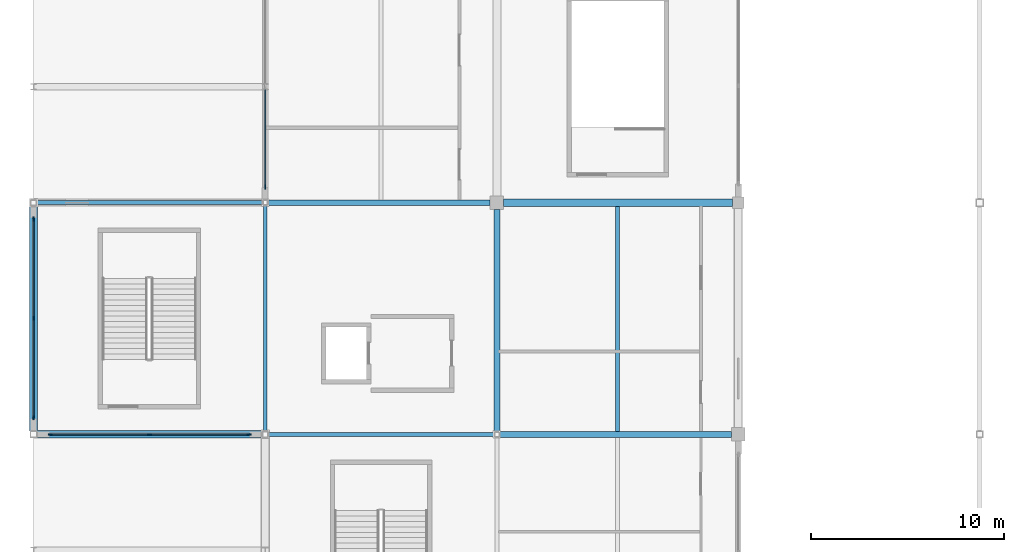
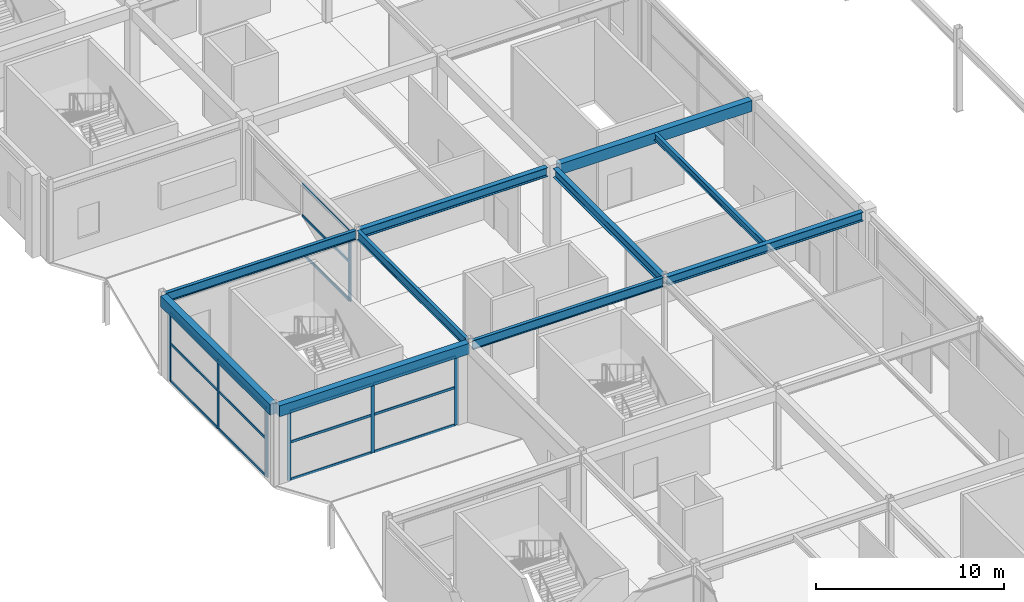
# One storey, part 38 of 105: 22 members, 10 beams, 3 elements without a shape of their own.
"""IFC4 building model written with IfcOpenShell, lengths in metres."""

import ifcopenshell
import ifcopenshell.guid

model = None  # the IFC model being written
_history = None  # IfcOwnerHistory: only IFC2X3 demands one
_inside = {}  # id of a spatial element -> (the spatial element, [elements in it])
_under = {}  # id of a project, library or spatial element -> (it, [spatial elements below it])
_declared = {}  # id of a project -> (the project, [libraries it declares])
_typed = {}  # id of a type object -> (the type object, [elements of that type])
_made_of = {}  # id of a material, layer set ... -> (it, [elements and type objects made of it])


def new_model(schema):
    """Start an empty IFC model of exactly this schema.

    Asked for "IFC4X3", IfcOpenShell would pick the latest addendum, in which some entities
    have other attributes; the version numbers below select the first issue.
    IFC2X3 requires an IfcOwnerHistory on every rooted entity: one is made here for all.
    """
    global model, _history
    if schema == "IFC4X3":
        model = ifcopenshell.file(schema_version=(4, 3, 0, 0))
    else:
        model = ifcopenshell.file(schema=schema)
    _inside.clear()
    _under.clear()
    _declared.clear()
    _typed.clear()
    _made_of.clear()
    _history = None
    if model.schema == "IFC2X3":
        org = make("IfcOrganization", Name="unknown")
        user = make(
            "IfcPersonAndOrganization",
            ThePerson=make("IfcPerson", FamilyName="unknown"),
            TheOrganization=org,
        )
        app = make(
            "IfcApplication",
            ApplicationDeveloper=org,
            Version="unknown",
            ApplicationFullName="unknown",
            ApplicationIdentifier="unknown",
        )
        _history = make(
            "IfcOwnerHistory",
            OwningUser=user,
            OwningApplication=app,
            ChangeAction="ADDED",
            CreationDate=0,
        )
    return model


def make(cls, **values):
    """One entity of the class cls with the attributes given. An attribute that is None is left unset."""
    return model.create_entity(
        cls, **{name: value for name, value in values.items() if value is not None}
    )


def rooted(cls, **values):
    """An entity with a GlobalId (a new one), such as an element, a storey or a relation."""
    return make(cls, GlobalId=ifcopenshell.guid.new(), OwnerHistory=_history, **values)


def si_unit(unit_type, name, prefix=None):
    """IfcSIUnit, for example si_unit("LENGTHUNIT", "METRE", prefix="MILLI")."""
    return make("IfcSIUnit", UnitType=unit_type, Prefix=prefix, Name=name)


def assignment(units):
    """IfcUnitAssignment: the units of a project."""
    return None if units is None else make("IfcUnitAssignment", Units=units)


def point(xyz):
    """IfcCartesianPoint."""
    return None if xyz is None else make("IfcCartesianPoint", Coordinates=xyz)


def direction(xyz):
    """IfcDirection."""
    return None if xyz is None else make("IfcDirection", DirectionRatios=xyz)


def frame(location, z_axis=None, x_axis=None):
    """IfcAxis2Placement3D, a coordinate frame: its origin and axes. An axis left out is left unset."""
    return make(
        "IfcAxis2Placement3D",
        Location=point(location),
        Axis=direction(z_axis),
        RefDirection=direction(x_axis),
    )


def frame_2d(location, x_axis=None):
    """IfcAxis2Placement2D, a coordinate frame in the plane: its origin and x axis."""
    return make(
        "IfcAxis2Placement2D", Location=point(location), RefDirection=direction(x_axis)
    )


def origin():
    """The frame at (0, 0, 0) with its axes left unset."""
    return frame((0.0, 0.0, 0.0))


def origin_2d():
    """The frame at (0, 0) in the plane with its x axis left unset."""
    return frame_2d((0.0, 0.0))


def place(relative_to, where):
    """IfcLocalPlacement: puts the frame where relative to a parent placement (None: the world)."""
    return make(
        "IfcLocalPlacement", PlacementRelTo=relative_to, RelativePlacement=where
    )


def context(
    kind, dimensions, precision=None, world=None, true_north=None, identifier=None
):
    """IfcGeometricRepresentationContext, for example the 3D "Model" context."""
    return make(
        "IfcGeometricRepresentationContext",
        ContextIdentifier=identifier,
        ContextType=kind,
        CoordinateSpaceDimension=dimensions,
        Precision=precision,
        WorldCoordinateSystem=world,
        TrueNorth=true_north,
    )


def subcontext(parent, identifier, kind, view, scale=None):
    """IfcGeometricRepresentationSubContext, for example "Body" below "Model"."""
    return make(
        "IfcGeometricRepresentationSubContext",
        ContextIdentifier=identifier,
        ContextType=kind,
        ParentContext=parent,
        TargetScale=scale,
        TargetView=view,
    )


def project(units=None, contexts=None):
    """IfcProject with its units and contexts."""
    return rooted(
        "IfcProject",
        Name="project",
        RepresentationContexts=contexts,
        UnitsInContext=assignment(units),
    )


def spatial(cls, under=None, at=None, **own):
    """A site, building, storey or space (cls), placed at a placement, below another one or the project."""
    s = rooted(cls, ObjectPlacement=at, **own)
    if under is not None:
        _under.setdefault(under.id(), (under, []))[1].append(s)
    return s


def profile(cls, at=None, kind="AREA", **sizes):
    """A parametric profile (cls). Its sizes go by their IFC names, for example OverallWidth=200.0."""
    return make(cls, ProfileType=kind, Position=at, **sizes)


def rectangle(**sizes):
    """IfcRectangleProfileDef."""
    return profile("IfcRectangleProfileDef", **sizes)


def i_section(**sizes):
    """IfcIShapeProfileDef."""
    return profile("IfcIShapeProfileDef", **sizes)


def extrude(swept, where, along, depth):
    """IfcExtrudedAreaSolid: the profile swept, set in the frame where, extruded along a direction by depth."""
    return make(
        "IfcExtrudedAreaSolid",
        SweptArea=swept,
        Position=where,
        ExtrudedDirection=direction(along),
        Depth=depth,
    )


def shape(context_of_items, identifier, shape_type, items):
    """IfcShapeRepresentation: the items that make up one representation, for example the "Body"."""
    return make(
        "IfcShapeRepresentation",
        ContextOfItems=context_of_items,
        RepresentationIdentifier=identifier,
        RepresentationType=shape_type,
        Items=items,
    )


def material(Name=None, Category=None):
    """IfcMaterial."""
    return make("IfcMaterial", Name=Name, Category=Category)


def layer(
    of_material, thickness, ventilated=None, Name=None, Category=None, Priority=None
):
    """IfcMaterialLayer: one layer of a wall or slab, of a material (None: an air gap)."""
    return make(
        "IfcMaterialLayer",
        Material=of_material,
        LayerThickness=thickness,
        IsVentilated=ventilated,
        Name=Name,
        Category=Category,
        Priority=Priority,
    )


def layer_set(layers, Name=None):
    """IfcMaterialLayerSet."""
    return make("IfcMaterialLayerSet", MaterialLayers=layers, LayerSetName=Name)


def material_profile(
    of_material, cross_section, Name=None, Category=None, Priority=None
):
    """IfcMaterialProfile: a cross section and its material."""
    return make(
        "IfcMaterialProfile",
        Name=Name,
        Material=of_material,
        Profile=cross_section,
        Priority=Priority,
        Category=Category,
    )


def profile_set(profiles, Name=None, composite=None):
    """IfcMaterialProfileSet."""
    return make(
        "IfcMaterialProfileSet",
        Name=Name,
        MaterialProfiles=profiles,
        CompositeProfile=composite,
    )


def made_of(thing, what):
    """Note that an element or type object is made of a material, layer set ...; save() writes the relation."""
    if what is not None:
        _made_of.setdefault(what.id(), (what, []))[1].append(thing)
    return thing


def type_object(cls, material=None, **own):
    """A type object (cls), such as IfcWallType, which elements share."""
    return made_of(rooted(cls, **own), material)


def element(
    cls,
    number,
    at=None,
    inside=None,
    cuts=None,
    type_object=None,
    material=None,
    context=None,
    identifier="Body",
    shape_type=None,
    held_by="IfcProductDefinitionShape",
    body=None,
    shapes=None,
    **own,
):
    """One element of the class cls, such as IfcWall. Its Tag is "e" and its number.

    at: its placement. inside: the storey or other place that contains it. cuts: it is an
    opening in that element (IfcRelVoidsElement). A single representation is given by context,
    identifier, shape_type and body (its items); several are given by shapes. held_by: the class
    of the entity that holds the representations. save() writes the other relations.
    """
    e = rooted(cls, Tag="e%d" % number, ObjectPlacement=at, **own)
    if body is not None:
        shapes = [shape(context, identifier, shape_type, body)]
    if shapes is not None:
        e.Representation = make(held_by, Representations=shapes)
    if inside is not None:
        _inside.setdefault(inside.id(), (inside, []))[1].append(e)
    if cuts is not None:
        rooted(
            "IfcRelVoidsElement", RelatingBuildingElement=cuts, RelatedOpeningElement=e
        )
    if type_object is not None:
        _typed.setdefault(type_object.id(), (type_object, []))[1].append(e)
    return made_of(e, material)


def aggregate(whole, parts):
    """IfcRelAggregates: a whole, such as a stair, and the parts it consists of."""
    return rooted("IfcRelAggregates", RelatingObject=whole, RelatedObjects=parts)


def save(model, path):
    """Write the relations noted so far, then the file.

    IfcRelAggregates (storeys below a building ...), IfcRelContainedInSpatialStructure (elements
    in a storey), IfcRelDefinesByType, IfcRelAssociatesMaterial and IfcRelDeclares: one each for
    every whole, place, type object, material and project.
    """
    for whole, parts in _under.values():
        aggregate(whole, parts)
    for where, things in _inside.values():
        rooted(
            "IfcRelContainedInSpatialStructure",
            RelatedElements=things,
            RelatingStructure=where,
        )
    for kind, things in _typed.values():
        rooted("IfcRelDefinesByType", RelatedObjects=things, RelatingType=kind)
    for what, things in _made_of.values():
        rooted("IfcRelAssociatesMaterial", RelatedObjects=things, RelatingMaterial=what)
    for by, libraries in _declared.values():
        rooted("IfcRelDeclares", RelatingContext=by, RelatedDefinitions=libraries)
    model.write(path)


model = new_model("IFC4")

# Units and contexts
model_context = context("Model", 3, precision=1e-05, world=origin(), true_north=direction((0.0, 1.0)))
body_context = subcontext(model_context, "Body", "Model", "MODEL_VIEW")
ifc_project = project(units=[si_unit("LENGTHUNIT", "METRE"), si_unit("AREAUNIT", "SQUARE_METRE"), si_unit("VOLUMEUNIT", "CUBIC_METRE"), si_unit("PLANEANGLEUNIT", "RADIAN"), si_unit("MASSUNIT", "GRAM", prefix="KILO")], contexts=[model_context])

# Site, building, storey
site_placement = place(None, origin())
site = spatial("IfcSite", under=ifc_project, at=site_placement, CompositionType="ELEMENT")
building_placement = place(site_placement, origin())
building = spatial("IfcBuilding", under=site, at=building_placement, Name="Kazenohara Klinker Stadium", CompositionType="ELEMENT")
storey_placement = place(building_placement, frame((0.0, 0.0, 20.39990234375)))
storey = spatial("IfcBuildingStorey", under=building, at=storey_placement, Name="L04", CompositionType="ELEMENT", Elevation=20.39990234375)

# Beams
ifc_material_1 = material(Name="Steel S355", Category="steel")
ifc_material_profile_1 = material_profile(ifc_material_1, i_section(OverallWidth=0.199951171875, OverallDepth=0.449951171875, WebThickness=0.009033203125, FlangeThickness=0.013916015625, FilletRadius=0.012939453125, at=origin_2d()), Name="H-450x200x9x14")
ifc_profile_set_1 = profile_set([ifc_material_profile_1], Name="Steel S355")
beam_type_1 = type_object("IfcBeamType", Name="BM-JST02", PredefinedType="JOIST", material=ifc_profile_set_1)
beam_1_placement = place(storey_placement, frame((30.25, 108.14990234375, 4.955078125), z_axis=(0.0, 1.0, 0.0), x_axis=(-1.0, 0.0, 0.0)))
element("IfcBeam", 1, at=beam_1_placement, inside=storey, type_object=beam_type_1, Name="Secondary floor joist SJ02 L04 3/K", PredefinedType="JOIST", context=body_context, shape_type="SweptSolid", body=[
    extrude(i_section(OverallWidth=0.199951171875, OverallDepth=0.449951171875, WebThickness=0.009033203125, FlangeThickness=0.013916015625, FilletRadius=0.012939453125, at=origin_2d()), origin(), (0.0, 0.0, 1.0), 11.650146484375),
])
ifc_material_2 = material(Name="Concrete C40/50", Category="concrete")
ifc_material_profile_2 = material_profile(ifc_material_2, rectangle(XDim=0.39990234375, YDim=0.699951171875, at=origin_2d()), Name="RC-BM-400x700")
ifc_profile_set_2 = profile_set([ifc_material_profile_2], Name="Concrete C40/50")
beam_type_2 = type_object("IfcBeamType", Name="BM-RC04", PredefinedType="BEAM", material=ifc_profile_set_2)
beam_2_placement = place(storey_placement, frame((0.175048828125, 108.0, 4.830078125), z_axis=(1.0, 0.0, 0.0), x_axis=(0.0, 1.0, 0.0)))
element("IfcBeam", 2, at=beam_2_placement, inside=storey, type_object=beam_type_2, Name="Primary girder BG04 L04 1-2/K", PredefinedType="BEAM", context=body_context, shape_type="SweptSolid", body=[
    extrude(rectangle(XDim=0.39990234375, YDim=0.699951171875, at=origin_2d()), origin(), (0.0, 0.0, 1.0), 11.675048828125),
])
beam_3_placement = place(storey_placement, frame((24.35009765625, 120.0, 4.830078125), z_axis=(1.0, 0.0, 0.0), x_axis=(0.0, 1.0, 0.0)))
element("IfcBeam", 3, at=beam_3_placement, inside=storey, type_object=beam_type_2, Name="Primary girder BG04 L04 3-4/L", PredefinedType="BEAM", context=body_context, shape_type="SweptSolid", body=[
    extrude(rectangle(XDim=0.39990234375, YDim=0.699951171875, at=origin_2d()), origin(), (0.0, 0.0, 1.0), 11.849853515625),
])
beam_4_placement = place(storey_placement, frame((0.0, 108.175048828125, 4.830078125), z_axis=(0.0, 1.0, 0.0), x_axis=(-1.0, 0.0, 0.0)))
element("IfcBeam", 4, at=beam_4_placement, inside=storey, type_object=beam_type_2, Name="Primary girder BG04 L04 1/K-L", PredefinedType="BEAM", context=body_context, shape_type="SweptSolid", body=[
    extrude(rectangle(XDim=0.39990234375, YDim=0.699951171875, at=origin_2d()), origin(), (0.0, 0.0, 1.0), 11.675048828125),
])
ifc_material_profile_3 = material_profile(ifc_material_1, i_section(OverallWidth=0.199951171875, OverallDepth=0.60009765625, WebThickness=0.010986328125, FlangeThickness=0.01708984375, FilletRadius=0.012939453125, at=origin_2d()), Name="H-600x200x11x17")
ifc_profile_set_3 = profile_set([ifc_material_profile_3], Name="Steel S355")
beam_type_3 = type_object("IfcBeamType", Name="BM-ST04", PredefinedType="BEAM", material=ifc_profile_set_3)
for number, where, z_axis, x_axis, name in (
    (5, (0.14990234375, 120.0, 4.880126953125), (1.0, 0.0, 0.0), (0.0, 1.0, 0.0), "Primary girder SB04 L04 1-2/L"),
    (6, (12.14990234375, 108.0, 4.880126953125), (1.0, 0.0, 0.0), (0.0, 1.0, 0.0), "Primary girder SB04 L04 2-3/K"),
    (7, (12.0, 108.14990234375, 4.880126953125), (0.0, 1.0, 0.0), (-1.0, 0.0, 0.0), "Primary girder SB04 L04 2/K-L"),
):
    element("IfcBeam", number, at=place(storey_placement, frame(where, z_axis=z_axis, x_axis=x_axis)), inside=storey, type_object=beam_type_3, Name=name, PredefinedType="BEAM", context=body_context, shape_type="SweptSolid", body=[
        extrude(i_section(OverallWidth=0.199951171875, OverallDepth=0.60009765625, WebThickness=0.010986328125, FlangeThickness=0.01708984375, FilletRadius=0.012939453125, at=origin_2d()), origin(), (0.0, 0.0, 1.0), 11.72509765625),
    ])
ifc_material_profile_4 = material_profile(ifc_material_1, i_section(OverallWidth=0.300048828125, OverallDepth=0.587890625, WebThickness=0.011962890625, FlangeThickness=0.02001953125, FilletRadius=0.02197265625, at=origin_2d()), Name="H-588x300x12x20")
ifc_profile_set_4 = profile_set([ifc_material_profile_4], Name="Steel S355")
beam_type_4 = type_object("IfcBeamType", Name="BM-ST05", PredefinedType="BEAM", material=ifc_profile_set_4)
beam_5_placement = place(storey_placement, frame((12.125, 120.0, 4.885986328125), z_axis=(1.0, 0.0, 0.0), x_axis=(0.0, 1.0, 0.0)))
element("IfcBeam", 8, at=beam_5_placement, inside=storey, type_object=beam_type_4, Name="Primary girder SB05 L04 2-3/L", PredefinedType="BEAM", context=body_context, shape_type="SweptSolid", body=[
    extrude(i_section(OverallWidth=0.300048828125, OverallDepth=0.587890625, WebThickness=0.011962890625, FlangeThickness=0.02001953125, FilletRadius=0.02197265625, at=origin_2d()), origin(), (0.0, 0.0, 1.0), 11.52490234375),
])
beam_6_placement = place(storey_placement, frame((24.125, 108.0, 4.885986328125), z_axis=(1.0, 0.0, 0.0), x_axis=(0.0, 1.0, 0.0)))
element("IfcBeam", 9, at=beam_6_placement, inside=storey, type_object=beam_type_4, Name="Primary girder SB05 L04 3-4/K", PredefinedType="BEAM", context=body_context, shape_type="SweptSolid", body=[
    extrude(i_section(OverallWidth=0.300048828125, OverallDepth=0.587890625, WebThickness=0.011962890625, FlangeThickness=0.02001953125, FilletRadius=0.02197265625, at=origin_2d()), origin(), (0.0, 0.0, 1.0), 12.02490234375),
])
beam_7_placement = place(storey_placement, frame((24.0, 108.125, 4.885986328125), z_axis=(0.0, 1.0, 0.0), x_axis=(-1.0, 0.0, 0.0)))
element("IfcBeam", 10, at=beam_7_placement, inside=storey, type_object=beam_type_4, Name="Primary girder SB05 L04 3/K-L", PredefinedType="BEAM", context=body_context, shape_type="SweptSolid", body=[
    extrude(i_section(OverallWidth=0.300048828125, OverallDepth=0.587890625, WebThickness=0.011962890625, FlangeThickness=0.02001953125, FilletRadius=0.02197265625, at=origin_2d()), origin(), (0.0, 0.0, 1.0), 11.52490234375),
])

# Curtain wall, members
ifc_material_3 = material(Name="Anodised aluminium and triple glazing", Category="aluminium")
ifc_layer_1 = layer(ifc_material_3, 0.18994140625)
ifc_layer_set_1 = layer_set([ifc_layer_1], Name="Anodised aluminium and triple glazing")
curtain_wall_type_1 = type_object("IfcCurtainWallType", Name="CW-SYS-05", PredefinedType="USERDEFINED", material=ifc_layer_set_1)
curtain_wall_1_placement = place(storey_placement, origin())
curtain_wall_1 = element("IfcCurtainWall", 11, at=curtain_wall_1_placement, inside=storey, type_object=curtain_wall_type_1, Name="Unitised facade curtain wall CW05 L04 X0-9", ObjectType="UNITISED CURTAIN WALL", PredefinedType="USERDEFINED")
ifc_material_4 = material(Name="Anodised aluminium 6063-T6", Category="aluminium")
ifc_material_profile_5 = material_profile(ifc_material_4, rectangle(XDim=0.074951171875, YDim=0.219970703125, at=origin_2d()), Name="ALU-MUL-75x220")
ifc_profile_set_5 = profile_set([ifc_material_profile_5], Name="Anodised aluminium 6063-T6")
member_type_1 = type_object("IfcMemberType", Name="CW-MUL-220", PredefinedType="MULLION", material=ifc_profile_set_5)
member_1_placement = place(storey_placement, frame((0.866455078125, 108.0, 0.0), z_axis=(0.0, 0.0, 1.0), x_axis=(0.0, 1.0, 0.0)))
member_1 = element("IfcMember", 12, at=member_1_placement, type_object=member_type_1, Name="CW05 mullion 1", PredefinedType="MULLION", context=body_context, shape_type="SweptSolid", body=[
    extrude(rectangle(XDim=0.074951171875, YDim=0.219970703125, at=origin_2d()), origin(), (0.0, 0.0, 1.0), 4.47998046875),
])
member_2_placement = place(storey_placement, frame((6.012451171875, 108.0, 0.0), z_axis=(0.0, 0.0, 1.0), x_axis=(0.0, 1.0, 0.0)))
member_2 = element("IfcMember", 13, at=member_2_placement, type_object=member_type_1, Name="CW05 mullion 2", PredefinedType="MULLION", context=body_context, shape_type="SweptSolid", body=[
    extrude(rectangle(XDim=0.074951171875, YDim=0.219970703125, at=origin_2d()), origin(), (0.0, 0.0, 1.0), 4.47998046875),
])
member_3_placement = place(storey_placement, frame((11.158447265625, 108.0, 0.0), z_axis=(0.0, 0.0, 1.0), x_axis=(0.0, 1.0, 0.0)))
member_3 = element("IfcMember", 14, at=member_3_placement, type_object=member_type_1, Name="CW05 mullion 3", PredefinedType="MULLION", context=body_context, shape_type="SweptSolid", body=[
    extrude(rectangle(XDim=0.074951171875, YDim=0.219970703125, at=origin_2d()), origin(), (0.0, 0.0, 1.0), 4.47998046875),
])

ifc_layer_2 = layer(ifc_material_3, 0.159912109375)
ifc_layer_set_2 = layer_set([ifc_layer_2], Name="Anodised aluminium and triple glazing")
curtain_wall_type_2 = type_object("IfcCurtainWallType", Name="CW-SYS-01", PredefinedType="USERDEFINED", material=ifc_layer_set_2)
curtain_wall_2_placement = place(storey_placement, origin())
curtain_wall_2 = element("IfcCurtainWall", 15, at=curtain_wall_2_placement, inside=storey, type_object=curtain_wall_type_2, Name="Unitised facade curtain wall CW01 L04 Y0-9", ObjectType="UNITISED CURTAIN WALL", PredefinedType="USERDEFINED")
member_4_placement = place(storey_placement, frame((0.0, 108.866455078125, 0.0), z_axis=(0.0, 0.0, 1.0), x_axis=(-1.0, 0.0, 0.0)))
member_4 = element("IfcMember", 16, at=member_4_placement, type_object=member_type_1, Name="CW01 mullion 1", PredefinedType="MULLION", context=body_context, shape_type="SweptSolid", body=[
    extrude(rectangle(XDim=0.074951171875, YDim=0.219970703125, at=origin_2d()), origin(), (0.0, 0.0, 1.0), 4.47998046875),
])
member_5_placement = place(storey_placement, frame((0.0, 114.012451171875, 0.0), z_axis=(0.0, 0.0, 1.0), x_axis=(-1.0, 0.0, 0.0)))
member_5 = element("IfcMember", 17, at=member_5_placement, type_object=member_type_1, Name="CW01 mullion 2", PredefinedType="MULLION", context=body_context, shape_type="SweptSolid", body=[
    extrude(rectangle(XDim=0.074951171875, YDim=0.219970703125, at=origin_2d()), origin(), (0.0, 0.0, 1.0), 4.47998046875),
])
member_6_placement = place(storey_placement, frame((0.0, 119.158447265625, 0.0), z_axis=(0.0, 0.0, 1.0), x_axis=(-1.0, 0.0, 0.0)))
member_6 = element("IfcMember", 18, at=member_6_placement, type_object=member_type_1, Name="CW01 mullion 3", PredefinedType="MULLION", context=body_context, shape_type="SweptSolid", body=[
    extrude(rectangle(XDim=0.074951171875, YDim=0.219970703125, at=origin_2d()), origin(), (0.0, 0.0, 1.0), 4.47998046875),
])

# Curtain wall, member
curtain_wall_3_placement = place(storey_placement, origin())
curtain_wall_3 = element("IfcCurtainWall", 19, at=curtain_wall_3_placement, inside=storey, type_object=curtain_wall_type_1, Name="Unitised facade curtain wall CW05 L04 Y1-10", ObjectType="UNITISED CURTAIN WALL", PredefinedType="USERDEFINED")
member_7_placement = place(storey_placement, frame((12.0, 120.81640625, 0.0), z_axis=(0.0, 0.0, 1.0), x_axis=(-1.0, 0.0, 0.0)))
member_7 = element("IfcMember", 20, at=member_7_placement, type_object=member_type_1, Name="CW05 mullion 1", PredefinedType="MULLION", context=body_context, shape_type="SweptSolid", body=[
    extrude(rectangle(XDim=0.074951171875, YDim=0.219970703125, at=origin_2d()), origin(), (0.0, 0.0, 1.0), 4.592041015625),
])

# Member
ifc_material_profile_6 = material_profile(ifc_material_4, rectangle(XDim=0.074951171875, YDim=0.159912109375, at=origin_2d()), Name="ALU-TRN-75x160")
ifc_profile_set_6 = profile_set([ifc_material_profile_6], Name="Anodised aluminium 6063-T6")
member_type_2 = type_object("IfcMemberType", Name="CW-TRN-160", PredefinedType="USERDEFINED", material=ifc_profile_set_6)
member_8_placement = place(storey_placement, frame((0.904052734375, 108.0, 0.03759765625), z_axis=(1.0, 0.0, 0.0), x_axis=(0.0, 1.0, 0.0)))
member_8 = element("IfcMember", 21, at=member_8_placement, type_object=member_type_2, Name="CW05 transom 1.1", ObjectType="TRANSOM", PredefinedType="USERDEFINED", context=body_context, shape_type="SweptSolid", body=[
    extrude(rectangle(XDim=0.074951171875, YDim=0.159912109375, at=origin_2d()), origin(), (0.0, 0.0, 1.0), 5.071044921875),
])

member_9_placement = place(storey_placement, frame((0.904052734375, 108.0, 2.464111328125), z_axis=(1.0, 0.0, 0.0), x_axis=(0.0, 1.0, 0.0)))
member_9 = element("IfcMember", 22, at=member_9_placement, type_object=member_type_2, Name="CW05 transom 1.2", ObjectType="TRANSOM", PredefinedType="USERDEFINED", context=body_context, shape_type="SweptSolid", body=[
    extrude(rectangle(XDim=0.074951171875, YDim=0.159912109375, at=origin_2d()), origin(), (0.0, 0.0, 1.0), 5.071044921875),
])

member_10_placement = place(storey_placement, frame((0.904052734375, 108.0, 4.442626953125), z_axis=(1.0, 0.0, 0.0), x_axis=(0.0, 1.0, 0.0)))
member_10 = element("IfcMember", 23, at=member_10_placement, type_object=member_type_2, Name="CW05 transom 1.3", ObjectType="TRANSOM", PredefinedType="USERDEFINED", context=body_context, shape_type="SweptSolid", body=[
    extrude(rectangle(XDim=0.074951171875, YDim=0.159912109375, at=origin_2d()), origin(), (0.0, 0.0, 1.0), 5.071044921875),
])

member_11_placement = place(storey_placement, frame((6.050048828125, 108.0, 0.03759765625), z_axis=(1.0, 0.0, 0.0), x_axis=(0.0, 1.0, 0.0)))
member_11 = element("IfcMember", 24, at=member_11_placement, type_object=member_type_2, Name="CW05 transom 2.1", ObjectType="TRANSOM", PredefinedType="USERDEFINED", context=body_context, shape_type="SweptSolid", body=[
    extrude(rectangle(XDim=0.074951171875, YDim=0.159912109375, at=origin_2d()), origin(), (0.0, 0.0, 1.0), 5.071044921875),
])

member_12_placement = place(storey_placement, frame((6.050048828125, 108.0, 2.464111328125), z_axis=(1.0, 0.0, 0.0), x_axis=(0.0, 1.0, 0.0)))
member_12 = element("IfcMember", 25, at=member_12_placement, type_object=member_type_2, Name="CW05 transom 2.2", ObjectType="TRANSOM", PredefinedType="USERDEFINED", context=body_context, shape_type="SweptSolid", body=[
    extrude(rectangle(XDim=0.074951171875, YDim=0.159912109375, at=origin_2d()), origin(), (0.0, 0.0, 1.0), 5.071044921875),
])

member_13_placement = place(storey_placement, frame((6.050048828125, 108.0, 4.442626953125), z_axis=(1.0, 0.0, 0.0), x_axis=(0.0, 1.0, 0.0)))
member_13 = element("IfcMember", 26, at=member_13_placement, type_object=member_type_2, Name="CW05 transom 2.3", ObjectType="TRANSOM", PredefinedType="USERDEFINED", context=body_context, shape_type="SweptSolid", body=[
    extrude(rectangle(XDim=0.074951171875, YDim=0.159912109375, at=origin_2d()), origin(), (0.0, 0.0, 1.0), 5.071044921875),
])

aggregate(curtain_wall_1, [member_1, member_2, member_3, member_8, member_9, member_10, member_11, member_12, member_13])

member_14_placement = place(storey_placement, frame((0.0, 108.904052734375, 0.03759765625), z_axis=(0.0, 1.0, 0.0), x_axis=(-1.0, 0.0, 0.0)))
member_14 = element("IfcMember", 27, at=member_14_placement, type_object=member_type_2, Name="CW01 transom 1.1", ObjectType="TRANSOM", PredefinedType="USERDEFINED", context=body_context, shape_type="SweptSolid", body=[
    extrude(rectangle(XDim=0.074951171875, YDim=0.159912109375, at=origin_2d()), origin(), (0.0, 0.0, 1.0), 5.071044921875),
])

member_15_placement = place(storey_placement, frame((0.0, 108.904052734375, 2.464111328125), z_axis=(0.0, 1.0, 0.0), x_axis=(-1.0, 0.0, 0.0)))
member_15 = element("IfcMember", 28, at=member_15_placement, type_object=member_type_2, Name="CW01 transom 1.2", ObjectType="TRANSOM", PredefinedType="USERDEFINED", context=body_context, shape_type="SweptSolid", body=[
    extrude(rectangle(XDim=0.074951171875, YDim=0.159912109375, at=origin_2d()), origin(), (0.0, 0.0, 1.0), 5.071044921875),
])

member_16_placement = place(storey_placement, frame((0.0, 108.904052734375, 4.442626953125), z_axis=(0.0, 1.0, 0.0), x_axis=(-1.0, 0.0, 0.0)))
member_16 = element("IfcMember", 29, at=member_16_placement, type_object=member_type_2, Name="CW01 transom 1.3", ObjectType="TRANSOM", PredefinedType="USERDEFINED", context=body_context, shape_type="SweptSolid", body=[
    extrude(rectangle(XDim=0.074951171875, YDim=0.159912109375, at=origin_2d()), origin(), (0.0, 0.0, 1.0), 5.071044921875),
])

member_17_placement = place(storey_placement, frame((0.0, 114.050048828125, 0.03759765625), z_axis=(0.0, 1.0, 0.0), x_axis=(-1.0, 0.0, 0.0)))
member_17 = element("IfcMember", 30, at=member_17_placement, type_object=member_type_2, Name="CW01 transom 2.1", ObjectType="TRANSOM", PredefinedType="USERDEFINED", context=body_context, shape_type="SweptSolid", body=[
    extrude(rectangle(XDim=0.074951171875, YDim=0.159912109375, at=origin_2d()), origin(), (0.0, 0.0, 1.0), 5.071044921875),
])

member_18_placement = place(storey_placement, frame((0.0, 114.050048828125, 2.464111328125), z_axis=(0.0, 1.0, 0.0), x_axis=(-1.0, 0.0, 0.0)))
member_18 = element("IfcMember", 31, at=member_18_placement, type_object=member_type_2, Name="CW01 transom 2.2", ObjectType="TRANSOM", PredefinedType="USERDEFINED", context=body_context, shape_type="SweptSolid", body=[
    extrude(rectangle(XDim=0.074951171875, YDim=0.159912109375, at=origin_2d()), origin(), (0.0, 0.0, 1.0), 5.071044921875),
])

member_19_placement = place(storey_placement, frame((0.0, 114.050048828125, 4.442626953125), z_axis=(0.0, 1.0, 0.0), x_axis=(-1.0, 0.0, 0.0)))
member_19 = element("IfcMember", 32, at=member_19_placement, type_object=member_type_2, Name="CW01 transom 2.3", ObjectType="TRANSOM", PredefinedType="USERDEFINED", context=body_context, shape_type="SweptSolid", body=[
    extrude(rectangle(XDim=0.074951171875, YDim=0.159912109375, at=origin_2d()), origin(), (0.0, 0.0, 1.0), 5.071044921875),
])

aggregate(curtain_wall_2, [member_4, member_5, member_6, member_14, member_15, member_16, member_17, member_18, member_19])

member_20_placement = place(storey_placement, frame((12.0, 120.85400390625, 0.03759765625), z_axis=(0.0, 1.0, 0.0), x_axis=(-1.0, 0.0, 0.0)))
member_20 = element("IfcMember", 33, at=member_20_placement, type_object=member_type_2, Name="CW05 transom 1.1", ObjectType="TRANSOM", PredefinedType="USERDEFINED", context=body_context, shape_type="SweptSolid", body=[
    extrude(rectangle(XDim=0.074951171875, YDim=0.159912109375, at=origin_2d()), origin(), (0.0, 0.0, 1.0), 4.99609375),
])

member_21_placement = place(storey_placement, frame((12.0, 120.85400390625, 2.525634765625), z_axis=(0.0, 1.0, 0.0), x_axis=(-1.0, 0.0, 0.0)))
member_21 = element("IfcMember", 34, at=member_21_placement, type_object=member_type_2, Name="CW05 transom 1.2", ObjectType="TRANSOM", PredefinedType="USERDEFINED", context=body_context, shape_type="SweptSolid", body=[
    extrude(rectangle(XDim=0.074951171875, YDim=0.159912109375, at=origin_2d()), origin(), (0.0, 0.0, 1.0), 4.99609375),
])

member_22_placement = place(storey_placement, frame((12.0, 120.85400390625, 4.5546875), z_axis=(0.0, 1.0, 0.0), x_axis=(-1.0, 0.0, 0.0)))
member_22 = element("IfcMember", 35, at=member_22_placement, type_object=member_type_2, Name="CW05 transom 1.3", ObjectType="TRANSOM", PredefinedType="USERDEFINED", context=body_context, shape_type="SweptSolid", body=[
    extrude(rectangle(XDim=0.074951171875, YDim=0.159912109375, at=origin_2d()), origin(), (0.0, 0.0, 1.0), 4.99609375),
])

aggregate(curtain_wall_3, [member_7, member_20, member_21, member_22])

save(model, "model.ifc")
